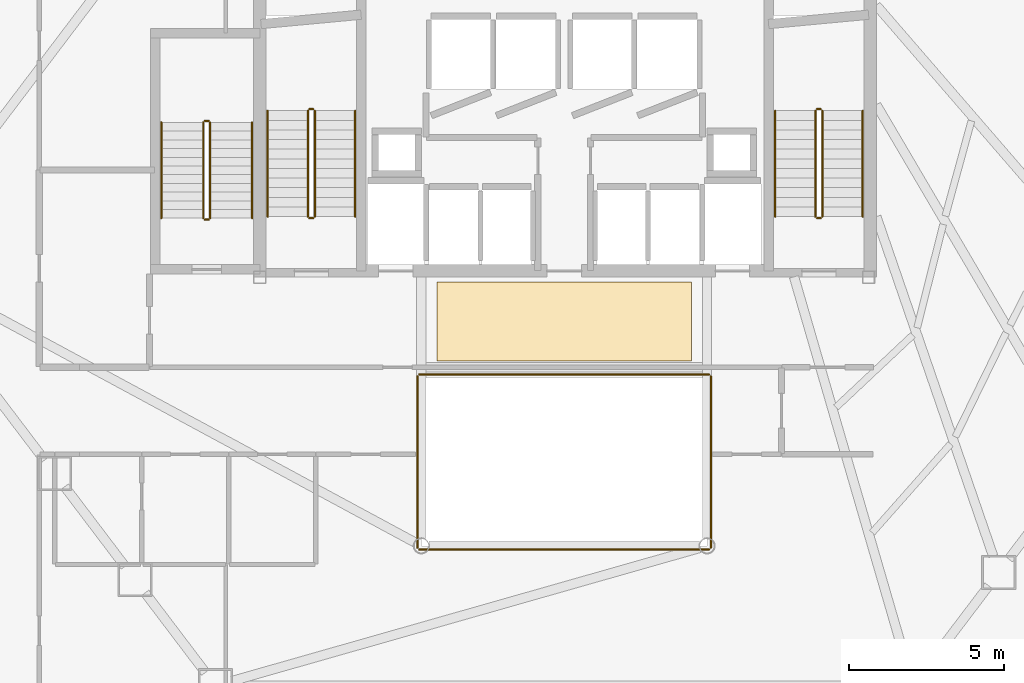
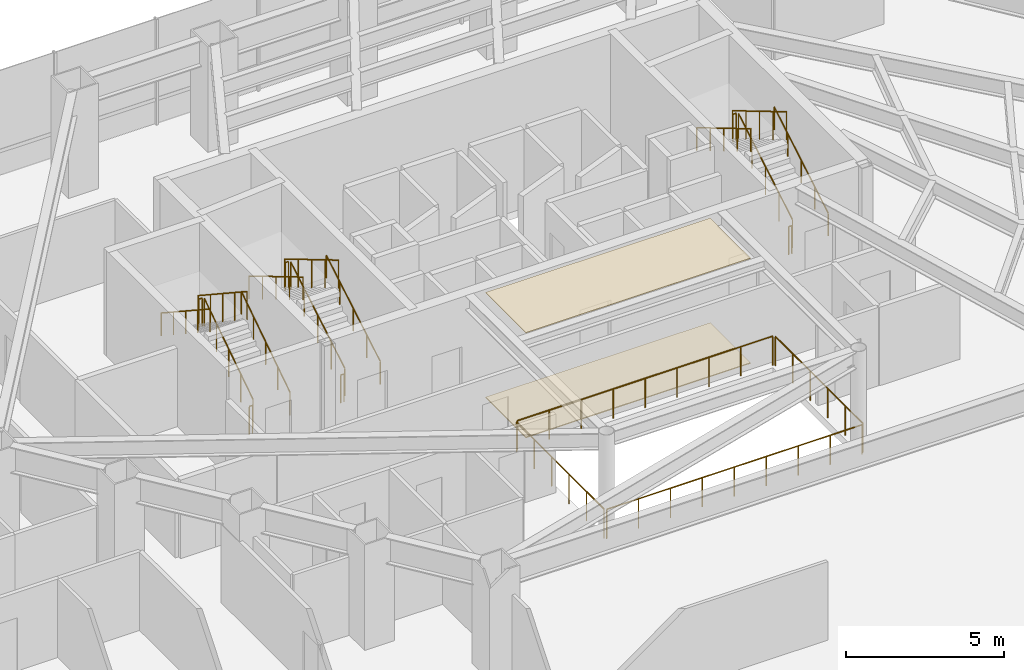
# One storey, part 33 of 33: 22 railings, 2 coverings.
"""IFC4 building model written with IfcOpenShell, lengths in metres."""

from ifc_helpers import new_model, si_unit, direction, frame, origin, origin_2d, place, context, subcontext, project, spatial, polyline, circle, outline, extrude, material, layer, layer_set, type_object, element, save


model = new_model("IFC4")

# Units and contexts
model_context = context("Model", 3, precision=1e-05, world=origin(), true_north=direction((0.0, 1.0)))
body_context = subcontext(model_context, "Body", "Model", "MODEL_VIEW")
ifc_project = project(units=[si_unit("LENGTHUNIT", "METRE"), si_unit("AREAUNIT", "SQUARE_METRE"), si_unit("VOLUMEUNIT", "CUBIC_METRE"), si_unit("PLANEANGLEUNIT", "RADIAN"), si_unit("MASSUNIT", "GRAM", prefix="KILO")], contexts=[model_context])

# Site, building, storey
site_placement = place(None, origin())
site = spatial("IfcSite", under=ifc_project, at=site_placement, CompositionType="ELEMENT")
building_placement = place(site_placement, origin())
building = spatial("IfcBuilding", under=site, at=building_placement, Name="Zarrinselat Tower", CompositionType="ELEMENT")
storey_placement = place(building_placement, frame((0.0, 0.0, 18.360107421875)))
storey = spatial("IfcBuildingStorey", under=building, at=storey_placement, Name="L04", CompositionType="ELEMENT", Elevation=18.360107421875)

# Coverings
ifc_material_1 = material(Name="Perforated Architectural Bronze")
ifc_layer_1 = layer(ifc_material_1, 0.02001953125)
ifc_layer_set_1 = layer_set([ifc_layer_1], Name="Perforated Architectural Bronze")
covering_type_1 = type_object("IfcCoveringType", Name="COV-CLG-BZ20", PredefinedType="CEILING", material=ifc_layer_set_1)
covering_1_placement = place(storey_placement, frame((0.0, 0.0, 4.0498046875)))
element("IfcCovering", 1, at=covering_1_placement, inside=storey, type_object=covering_type_1, Name="L04 Lift Lobby Acoustic Ceiling", PredefinedType="CEILING", context=body_context, shape_type="SweptSolid", body=[
    extrude(outline(polyline([(34.300048828125, 30.35009765625), (42.5, 30.35009765625), (42.5, 32.89990234375), (34.300048828125, 32.89990234375), (34.300048828125, 30.35009765625)])), origin(), (0.0, 0.0, 1.0), 0.02001953125),
])
ifc_material_2 = material(Name="Precast concrete C40/50", Category="concrete")
ifc_layer_2 = layer(ifc_material_2, 0.034912109375)
ifc_layer_set_2 = layer_set([ifc_layer_2], Name="Precast concrete C40/50")
covering_type_2 = type_object("IfcCoveringType", Name="COV-FLR-CP35", PredefinedType="FLOORING", material=ifc_layer_set_2)
covering_2_placement = place(storey_placement, origin())
element("IfcCovering", 2, at=covering_2_placement, inside=storey, type_object=covering_type_2, Name="L04 Lift Lobby Stone Flooring", PredefinedType="FLOORING", context=body_context, shape_type="SweptSolid", body=[
    extrude(outline(polyline([(34.300048828125, 30.35009765625), (42.5, 30.35009765625), (42.5, 32.89990234375), (34.300048828125, 32.89990234375), (34.300048828125, 30.35009765625)])), origin(), (0.0, 0.0, 1.0), 0.034912109375),
])

# Railings
ifc_material_3 = material(Name="Double Low-E Laminated Solar Glass", Category="glass")
railing_type_1 = type_object("IfcRailingType", Name="RLG-ATRIUM-BAL", PredefinedType="BALUSTRADE", material=ifc_material_3)
railing_1_placement = place(storey_placement, frame((33.739990234375, 24.280029296875, 0.0)))
element("IfcRailing", 3, at=railing_1_placement, inside=storey, type_object=railing_type_1, Name="L04 Atrium Void Glass Balustrade S", PredefinedType="BALUSTRADE", context=body_context, shape_type="SweptSolid", body=[
    extrude(circle(Radius=0.02392578125, at=origin_2d()), frame((0.0, 0.0, 1.1259765625), z_axis=(1.0, 0.0, 0.0), x_axis=(0.0, 1.0, 0.0)), (0.0, 0.0, 1.0), 9.320068359375),
    extrude(circle(Radius=0.02099609375, at=origin_2d()), origin(), (0.0, 0.0, 1.0), 1.099853515625),
    extrude(circle(Radius=0.02099609375, at=origin_2d()), frame((1.1650390625, 0.0, 0.0)), (0.0, 0.0, 1.0), 1.099853515625),
    extrude(circle(Radius=0.02099609375, at=origin_2d()), frame((2.330078125, 0.0, 0.0)), (0.0, 0.0, 1.0), 1.099853515625),
    extrude(circle(Radius=0.02099609375, at=origin_2d()), frame((3.4951171875, 0.0, 0.0)), (0.0, 0.0, 1.0), 1.099853515625),
    extrude(circle(Radius=0.02099609375, at=origin_2d()), frame((4.66015625, 0.0, 0.0)), (0.0, 0.0, 1.0), 1.099853515625),
    extrude(circle(Radius=0.02099609375, at=origin_2d()), frame((5.824951171875, 0.0, 0.0)), (0.0, 0.0, 1.0), 1.099853515625),
    extrude(circle(Radius=0.02099609375, at=origin_2d()), frame((6.989990234375, 0.0, 0.0)), (0.0, 0.0, 1.0), 1.099853515625),
    extrude(circle(Radius=0.02099609375, at=origin_2d()), frame((8.155029296875, 0.0, 0.0)), (0.0, 0.0, 1.0), 1.099853515625),
    extrude(circle(Radius=0.02099609375, at=origin_2d()), frame((9.320068359375, 0.0, 0.0)), (0.0, 0.0, 1.0), 1.099853515625),
])
railing_2_placement = place(storey_placement, frame((43.1201171875, 24.340087890625, 0.0)))
element("IfcRailing", 4, at=railing_2_placement, inside=storey, type_object=railing_type_1, Name="L04 Atrium Void Glass Balustrade E", PredefinedType="BALUSTRADE", context=body_context, shape_type="SweptSolid", body=[
    extrude(circle(Radius=0.02392578125, at=origin_2d()), frame((0.0, 0.0, 1.1259765625), z_axis=(0.0, 1.0, 0.0), x_axis=(-1.0, 0.0, 0.0)), (0.0, 0.0, 1.0), 5.52001953125),
    extrude(circle(Radius=0.02099609375, at=origin_2d()), origin(), (0.0, 0.0, 1.0), 1.099853515625),
    extrude(circle(Radius=0.02099609375, at=origin_2d()), frame((0.0, 1.10400390625, 0.0)), (0.0, 0.0, 1.0), 1.099853515625),
    extrude(circle(Radius=0.02099609375, at=origin_2d()), frame((0.0, 2.2080078125, 0.0)), (0.0, 0.0, 1.0), 1.099853515625),
    extrude(circle(Radius=0.02099609375, at=origin_2d()), frame((0.0, 3.31201171875, 0.0)), (0.0, 0.0, 1.0), 1.099853515625),
    extrude(circle(Radius=0.02099609375, at=origin_2d()), frame((0.0, 4.416015625, 0.0)), (0.0, 0.0, 1.0), 1.099853515625),
    extrude(circle(Radius=0.02099609375, at=origin_2d()), frame((0.0, 5.52001953125, 0.0)), (0.0, 0.0, 1.0), 1.099853515625),
])
railing_3_placement = place(storey_placement, frame((43.06005859375, 29.919921875, 0.0)))
element("IfcRailing", 5, at=railing_3_placement, inside=storey, type_object=railing_type_1, Name="L04 Atrium Void Glass Balustrade N", PredefinedType="BALUSTRADE", context=body_context, shape_type="SweptSolid", body=[
    extrude(circle(Radius=0.02392578125, at=origin_2d()), frame((0.0, 0.0, 1.1259765625), z_axis=(-1.0, 0.0, 0.0), x_axis=(0.0, -1.0, 0.0)), (0.0, 0.0, 1.0), 9.320068359375),
    extrude(circle(Radius=0.02099609375, at=origin_2d()), origin(), (0.0, 0.0, 1.0), 1.099853515625),
    extrude(circle(Radius=0.02099609375, at=origin_2d()), frame((-1.1650390625, 0.0, 0.0)), (0.0, 0.0, 1.0), 1.099853515625),
    extrude(circle(Radius=0.02099609375, at=origin_2d()), frame((-2.330078125, 0.0, 0.0)), (0.0, 0.0, 1.0), 1.099853515625),
    extrude(circle(Radius=0.02099609375, at=origin_2d()), frame((-3.4951171875, 0.0, 0.0)), (0.0, 0.0, 1.0), 1.099853515625),
    extrude(circle(Radius=0.02099609375, at=origin_2d()), frame((-4.66015625, 0.0, 0.0)), (0.0, 0.0, 1.0), 1.099853515625),
    extrude(circle(Radius=0.02099609375, at=origin_2d()), frame((-5.824951171875, 0.0, 0.0)), (0.0, 0.0, 1.0), 1.099853515625),
    extrude(circle(Radius=0.02099609375, at=origin_2d()), frame((-6.989990234375, 0.0, 0.0)), (0.0, 0.0, 1.0), 1.099853515625),
    extrude(circle(Radius=0.02099609375, at=origin_2d()), frame((-8.155029296875, 0.0, 0.0)), (0.0, 0.0, 1.0), 1.099853515625),
    extrude(circle(Radius=0.02099609375, at=origin_2d()), frame((-9.320068359375, 0.0, 0.0)), (0.0, 0.0, 1.0), 1.099853515625),
])
railing_4_placement = place(storey_placement, frame((33.679931640625, 29.860107421875, 0.0)))
element("IfcRailing", 6, at=railing_4_placement, inside=storey, type_object=railing_type_1, Name="L04 Atrium Void Glass Balustrade W", PredefinedType="BALUSTRADE", context=body_context, shape_type="SweptSolid", body=[
    extrude(circle(Radius=0.02392578125, at=origin_2d()), frame((0.0, 0.0, 1.1259765625), z_axis=(0.0, -1.0, 0.0), x_axis=(1.0, 0.0, 0.0)), (0.0, 0.0, 1.0), 5.52001953125),
    extrude(circle(Radius=0.02099609375, at=origin_2d()), origin(), (0.0, 0.0, 1.0), 1.099853515625),
    extrude(circle(Radius=0.02099609375, at=origin_2d()), frame((0.0, -1.10400390625, 0.0)), (0.0, 0.0, 1.0), 1.099853515625),
    extrude(circle(Radius=0.02099609375, at=origin_2d()), frame((0.0, -2.2080078125, 0.0)), (0.0, 0.0, 1.0), 1.099853515625),
    extrude(circle(Radius=0.02099609375, at=origin_2d()), frame((0.0, -3.31201171875, 0.0)), (0.0, 0.0, 1.0), 1.099853515625),
    extrude(circle(Radius=0.02099609375, at=origin_2d()), frame((0.0, -4.416015625, 0.0)), (0.0, 0.0, 1.0), 1.099853515625),
    extrude(circle(Radius=0.02099609375, at=origin_2d()), frame((0.0, -5.52001953125, 0.0)), (0.0, 0.0, 1.0), 1.099853515625),
])
ifc_material_4 = material(Name="Steel S355J2", Category="steel")
railing_type_2 = type_object("IfcRailingType", Name="RLG-STAIR-GUARD", PredefinedType="GUARDRAIL", material=ifc_material_4)
railing_5_placement = place(storey_placement, frame((30.3701171875, 35.0, 0.18408203125)))
element("IfcRailing", 7, at=railing_5_placement, inside=storey, type_object=railing_type_2, Name="L04 ST-1 stair guard 1", PredefinedType="GUARDRAIL", context=body_context, shape_type="SweptSolid", body=[
    extrude(circle(Radius=0.02392578125, at=origin_2d()), frame((0.0, 0.0, 1.076171875), z_axis=(0.0, 0.85971707285, 0.510770549904), x_axis=(-1.0, 0.0, 0.0)), (0.0, 0.0, 1.0), 3.96630859375),
    extrude(circle(Radius=0.02099609375, at=origin_2d()), origin(), (0.0, 0.0, 1.0), 1.050048828125),
    extrude(circle(Radius=0.02099609375, at=origin_2d()), frame((0.0, 0.8525390625, 0.50634765625)), (0.0, 0.0, 1.0), 1.050048828125),
    extrude(circle(Radius=0.02099609375, at=origin_2d()), frame((0.0, 1.705078125, 1.012939453125)), (0.0, 0.0, 1.0), 1.050048828125),
    extrude(circle(Radius=0.02099609375, at=origin_2d()), frame((0.0, 2.557373046875, 1.51953125)), (0.0, 0.0, 1.0), 1.050048828125),
    extrude(circle(Radius=0.02099609375, at=origin_2d()), frame((0.0, 3.409912109375, 2.02587890625)), (0.0, 0.0, 1.0), 1.050048828125),
])
railing_6_placement = place(storey_placement, frame((30.320068359375, 38.4599609375, 2.2099609375)))
element("IfcRailing", 8, at=railing_6_placement, inside=storey, type_object=railing_type_2, Name="L04 ST-1 stair guard 2", PredefinedType="GUARDRAIL", context=body_context, shape_type="SweptSolid", body=[
    extrude(circle(Radius=0.02392578125, at=origin_2d()), frame((0.0, 0.0, 1.076171875), z_axis=(-1.0, 0.0, 0.0), x_axis=(0.0, -1.0, 0.0)), (0.0, 0.0, 1.0), 0.1201171875),
    extrude(circle(Radius=0.02099609375, at=origin_2d()), origin(), (0.0, 0.0, 1.0), 1.050048828125),
    extrude(circle(Radius=0.02099609375, at=origin_2d()), frame((-0.1201171875, 0.0, 0.0)), (0.0, 0.0, 1.0), 1.050048828125),
])
railing_7_placement = place(storey_placement, frame((30.14990234375, 38.409912109375, 2.39404296875)))
element("IfcRailing", 9, at=railing_7_placement, inside=storey, type_object=railing_type_2, Name="L04 ST-1 stair guard 3", PredefinedType="GUARDRAIL", context=body_context, shape_type="SweptSolid", body=[
    extrude(circle(Radius=0.02392578125, at=origin_2d()), frame((0.0, 0.0, 1.076171875), z_axis=(0.0, -0.85971707285, 0.510770549904), x_axis=(1.0, 0.0, 0.0)), (0.0, 0.0, 1.0), 3.96630859375),
    extrude(circle(Radius=0.02099609375, at=origin_2d()), origin(), (0.0, 0.0, 1.0), 1.050048828125),
    extrude(circle(Radius=0.02099609375, at=origin_2d()), frame((0.0, -0.8525390625, 0.50634765625)), (0.0, 0.0, 1.0), 1.050048828125),
    extrude(circle(Radius=0.02099609375, at=origin_2d()), frame((0.0, -1.705078125, 1.012939453125)), (0.0, 0.0, 1.0), 1.050048828125),
    extrude(circle(Radius=0.02099609375, at=origin_2d()), frame((0.0, -2.557373046875, 1.51953125)), (0.0, 0.0, 1.0), 1.050048828125),
    extrude(circle(Radius=0.02099609375, at=origin_2d()), frame((0.0, -3.409912109375, 2.02587890625)), (0.0, 0.0, 1.0), 1.050048828125),
])
railing_8_placement = place(storey_placement, frame((30.320068359375, 34.949951171875, 0.0)))
element("IfcRailing", 10, at=railing_8_placement, inside=storey, type_object=railing_type_2, Name="L04 ST-1 stair guard 4", PredefinedType="GUARDRAIL", context=body_context, shape_type="SweptSolid", body=[
    extrude(circle(Radius=0.02392578125, at=origin_2d()), frame((0.0, 0.0, 1.076171875), z_axis=(-1.0, 0.0, 0.0), x_axis=(0.0, -1.0, 0.0)), (0.0, 0.0, 1.0), 0.1201171875),
    extrude(circle(Radius=0.02099609375, at=origin_2d()), origin(), (0.0, 0.0, 1.0), 1.050048828125),
    extrude(circle(Radius=0.02099609375, at=origin_2d()), frame((-0.1201171875, 0.0, 0.0)), (0.0, 0.0, 1.0), 1.050048828125),
])
railing_9_placement = place(storey_placement, frame((46.7099609375, 35.0, 0.18408203125)))
element("IfcRailing", 11, at=railing_9_placement, inside=storey, type_object=railing_type_2, Name="L04 ST-2 stair guard 1", PredefinedType="GUARDRAIL", context=body_context, shape_type="SweptSolid", body=[
    extrude(circle(Radius=0.02392578125, at=origin_2d()), frame((0.0, 0.0, 1.076171875), z_axis=(0.0, 0.85971707285, 0.510770549904), x_axis=(-1.0, 0.0, 0.0)), (0.0, 0.0, 1.0), 3.96630859375),
    extrude(circle(Radius=0.02099609375, at=origin_2d()), origin(), (0.0, 0.0, 1.0), 1.050048828125),
    extrude(circle(Radius=0.02099609375, at=origin_2d()), frame((0.0, 0.8525390625, 0.50634765625)), (0.0, 0.0, 1.0), 1.050048828125),
    extrude(circle(Radius=0.02099609375, at=origin_2d()), frame((0.0, 1.705078125, 1.012939453125)), (0.0, 0.0, 1.0), 1.050048828125),
    extrude(circle(Radius=0.02099609375, at=origin_2d()), frame((0.0, 2.557373046875, 1.51953125)), (0.0, 0.0, 1.0), 1.050048828125),
    extrude(circle(Radius=0.02099609375, at=origin_2d()), frame((0.0, 3.409912109375, 2.02587890625)), (0.0, 0.0, 1.0), 1.050048828125),
])
railing_10_placement = place(storey_placement, frame((46.659912109375, 38.4599609375, 2.2099609375)))
element("IfcRailing", 12, at=railing_10_placement, inside=storey, type_object=railing_type_2, Name="L04 ST-2 stair guard 2", PredefinedType="GUARDRAIL", context=body_context, shape_type="SweptSolid", body=[
    extrude(circle(Radius=0.02392578125, at=origin_2d()), frame((0.0, 0.0, 1.076171875), z_axis=(-1.0, 0.0, 0.0), x_axis=(0.0, -1.0, 0.0)), (0.0, 0.0, 1.0), 0.119873046875),
    extrude(circle(Radius=0.02099609375, at=origin_2d()), origin(), (0.0, 0.0, 1.0), 1.050048828125),
    extrude(circle(Radius=0.02099609375, at=origin_2d()), frame((-0.119873046875, 0.0, 0.0)), (0.0, 0.0, 1.0), 1.050048828125),
])
railing_11_placement = place(storey_placement, frame((46.489990234375, 38.409912109375, 2.39404296875)))
element("IfcRailing", 13, at=railing_11_placement, inside=storey, type_object=railing_type_2, Name="L04 ST-2 stair guard 3", PredefinedType="GUARDRAIL", context=body_context, shape_type="SweptSolid", body=[
    extrude(circle(Radius=0.02392578125, at=origin_2d()), frame((0.0, 0.0, 1.076171875), z_axis=(0.0, -0.85971707285, 0.510770549904), x_axis=(1.0, 0.0, 0.0)), (0.0, 0.0, 1.0), 3.96630859375),
    extrude(circle(Radius=0.02099609375, at=origin_2d()), origin(), (0.0, 0.0, 1.0), 1.050048828125),
    extrude(circle(Radius=0.02099609375, at=origin_2d()), frame((0.0, -0.8525390625, 0.50634765625)), (0.0, 0.0, 1.0), 1.050048828125),
    extrude(circle(Radius=0.02099609375, at=origin_2d()), frame((0.0, -1.705078125, 1.012939453125)), (0.0, 0.0, 1.0), 1.050048828125),
    extrude(circle(Radius=0.02099609375, at=origin_2d()), frame((0.0, -2.557373046875, 1.51953125)), (0.0, 0.0, 1.0), 1.050048828125),
    extrude(circle(Radius=0.02099609375, at=origin_2d()), frame((0.0, -3.409912109375, 2.02587890625)), (0.0, 0.0, 1.0), 1.050048828125),
])
railing_12_placement = place(storey_placement, frame((46.659912109375, 34.949951171875, 0.0)))
element("IfcRailing", 14, at=railing_12_placement, inside=storey, type_object=railing_type_2, Name="L04 ST-2 stair guard 4", PredefinedType="GUARDRAIL", context=body_context, shape_type="SweptSolid", body=[
    extrude(circle(Radius=0.02392578125, at=origin_2d()), frame((0.0, 0.0, 1.076171875), z_axis=(-1.0, 0.0, 0.0), x_axis=(0.0, -1.0, 0.0)), (0.0, 0.0, 1.0), 0.119873046875),
    extrude(circle(Radius=0.02099609375, at=origin_2d()), origin(), (0.0, 0.0, 1.0), 1.050048828125),
    extrude(circle(Radius=0.02099609375, at=origin_2d()), frame((-0.119873046875, 0.0, 0.0)), (0.0, 0.0, 1.0), 1.050048828125),
])
railing_13_placement = place(storey_placement, frame((27.0, 34.949951171875, 0.18408203125)))
element("IfcRailing", 15, at=railing_13_placement, inside=storey, type_object=railing_type_2, Name="L04 ST-3 stair guard 1", PredefinedType="GUARDRAIL", context=body_context, shape_type="SweptSolid", body=[
    extrude(circle(Radius=0.02392578125, at=origin_2d()), frame((0.0, 0.0, 1.076171875), z_axis=(0.0, 0.835477891525, 0.549524060231), x_axis=(-1.0, 0.0, 0.0)), (0.0, 0.0, 1.0), 3.6865234375),
    extrude(circle(Radius=0.02099609375, at=origin_2d()), origin(), (0.0, 0.0, 1.0), 1.050048828125),
    extrude(circle(Radius=0.02099609375, at=origin_2d()), frame((0.0, 0.77001953125, 0.50634765625)), (0.0, 0.0, 1.0), 1.050048828125),
    extrude(circle(Radius=0.02099609375, at=origin_2d()), frame((0.0, 1.5400390625, 1.012939453125)), (0.0, 0.0, 1.0), 1.050048828125),
    extrude(circle(Radius=0.02099609375, at=origin_2d()), frame((0.0, 2.31005859375, 1.51953125)), (0.0, 0.0, 1.0), 1.050048828125),
    extrude(circle(Radius=0.02099609375, at=origin_2d()), frame((0.0, 3.080078125, 2.02587890625)), (0.0, 0.0, 1.0), 1.050048828125),
])
railing_14_placement = place(storey_placement, frame((26.949951171875, 38.080078125, 2.2099609375)))
element("IfcRailing", 16, at=railing_14_placement, inside=storey, type_object=railing_type_2, Name="L04 ST-3 stair guard 2", PredefinedType="GUARDRAIL", context=body_context, shape_type="SweptSolid", body=[
    extrude(circle(Radius=0.02392578125, at=origin_2d()), frame((0.0, 0.0, 1.076171875), z_axis=(-1.0, 0.0, 0.0), x_axis=(0.0, -1.0, 0.0)), (0.0, 0.0, 1.0), 0.119873046875),
    extrude(circle(Radius=0.02099609375, at=origin_2d()), origin(), (0.0, 0.0, 1.0), 1.050048828125),
    extrude(circle(Radius=0.02099609375, at=origin_2d()), frame((-0.119873046875, 0.0, 0.0)), (0.0, 0.0, 1.0), 1.050048828125),
])
railing_15_placement = place(storey_placement, frame((26.780029296875, 38.030029296875, 2.39404296875)))
element("IfcRailing", 17, at=railing_15_placement, inside=storey, type_object=railing_type_2, Name="L04 ST-3 stair guard 3", PredefinedType="GUARDRAIL", context=body_context, shape_type="SweptSolid", body=[
    extrude(circle(Radius=0.02392578125, at=origin_2d()), frame((0.0, 0.0, 1.076171875), z_axis=(0.0, -0.835477891525, 0.549524060231), x_axis=(1.0, 0.0, 0.0)), (0.0, 0.0, 1.0), 3.6865234375),
    extrude(circle(Radius=0.02099609375, at=origin_2d()), origin(), (0.0, 0.0, 1.0), 1.050048828125),
    extrude(circle(Radius=0.02099609375, at=origin_2d()), frame((0.0, -0.77001953125, 0.50634765625)), (0.0, 0.0, 1.0), 1.050048828125),
    extrude(circle(Radius=0.02099609375, at=origin_2d()), frame((0.0, -1.5400390625, 1.012939453125)), (0.0, 0.0, 1.0), 1.050048828125),
    extrude(circle(Radius=0.02099609375, at=origin_2d()), frame((0.0, -2.31005859375, 1.51953125)), (0.0, 0.0, 1.0), 1.050048828125),
    extrude(circle(Radius=0.02099609375, at=origin_2d()), frame((0.0, -3.080078125, 2.02587890625)), (0.0, 0.0, 1.0), 1.050048828125),
])
railing_16_placement = place(storey_placement, frame((26.949951171875, 34.89990234375, 0.0)))
element("IfcRailing", 18, at=railing_16_placement, inside=storey, type_object=railing_type_2, Name="L04 ST-3 stair guard 4", PredefinedType="GUARDRAIL", context=body_context, shape_type="SweptSolid", body=[
    extrude(circle(Radius=0.02392578125, at=origin_2d()), frame((0.0, 0.0, 1.076171875), z_axis=(-1.0, 0.0, 0.0), x_axis=(0.0, -1.0, 0.0)), (0.0, 0.0, 1.0), 0.119873046875),
    extrude(circle(Radius=0.02099609375, at=origin_2d()), origin(), (0.0, 0.0, 1.0), 1.050048828125),
    extrude(circle(Radius=0.02099609375, at=origin_2d()), frame((-0.119873046875, 0.0, 0.0)), (0.0, 0.0, 1.0), 1.050048828125),
])
ifc_material_5 = material(Name="Steel S355J2", Category="steel")
railing_type_3 = type_object("IfcRailingType", Name="RLG-STAIR-HAND", PredefinedType="HANDRAIL", material=ifc_material_5)
railing_17_placement = place(storey_placement, frame((31.669921875, 35.0, 0.18408203125)))
element("IfcRailing", 19, at=railing_17_placement, inside=storey, type_object=railing_type_3, Name="L04 ST-1 stair handrail 1", PredefinedType="HANDRAIL", context=body_context, shape_type="SweptSolid", body=[
    extrude(circle(Radius=0.02392578125, at=origin_2d()), frame((0.0, 0.0, 0.8759765625), z_axis=(0.0, 0.85971707285, 0.510770549904), x_axis=(-1.0, 0.0, 0.0)), (0.0, 0.0, 1.0), 3.96630859375),
    extrude(circle(Radius=0.02099609375, at=origin_2d()), origin(), (0.0, 0.0, 1.0), 0.849853515625),
    extrude(circle(Radius=0.02099609375, at=origin_2d()), frame((0.0, 0.8525390625, 0.50634765625)), (0.0, 0.0, 1.0), 0.849853515625),
    extrude(circle(Radius=0.02099609375, at=origin_2d()), frame((0.0, 1.705078125, 1.012939453125)), (0.0, 0.0, 1.0), 0.849853515625),
    extrude(circle(Radius=0.02099609375, at=origin_2d()), frame((0.0, 2.557373046875, 1.51953125)), (0.0, 0.0, 1.0), 0.849853515625),
    extrude(circle(Radius=0.02099609375, at=origin_2d()), frame((0.0, 3.409912109375, 2.02587890625)), (0.0, 0.0, 1.0), 0.849853515625),
])
railing_18_placement = place(storey_placement, frame((28.85009765625, 38.409912109375, 2.39404296875)))
element("IfcRailing", 20, at=railing_18_placement, inside=storey, type_object=railing_type_3, Name="L04 ST-1 stair handrail 2", PredefinedType="HANDRAIL", context=body_context, shape_type="SweptSolid", body=[
    extrude(circle(Radius=0.02392578125, at=origin_2d()), frame((0.0, 0.0, 0.8759765625), z_axis=(0.0, -0.85971707285, 0.510770549904), x_axis=(1.0, 0.0, 0.0)), (0.0, 0.0, 1.0), 3.96630859375),
    extrude(circle(Radius=0.02099609375, at=origin_2d()), origin(), (0.0, 0.0, 1.0), 0.849853515625),
    extrude(circle(Radius=0.02099609375, at=origin_2d()), frame((0.0, -0.8525390625, 0.50634765625)), (0.0, 0.0, 1.0), 0.849853515625),
    extrude(circle(Radius=0.02099609375, at=origin_2d()), frame((0.0, -1.705078125, 1.012939453125)), (0.0, 0.0, 1.0), 0.849853515625),
    extrude(circle(Radius=0.02099609375, at=origin_2d()), frame((0.0, -2.557373046875, 1.51953125)), (0.0, 0.0, 1.0), 0.849853515625),
    extrude(circle(Radius=0.02099609375, at=origin_2d()), frame((0.0, -3.409912109375, 2.02587890625)), (0.0, 0.0, 1.0), 0.849853515625),
])
railing_19_placement = place(storey_placement, frame((48.010009765625, 35.0, 0.18408203125)))
element("IfcRailing", 21, at=railing_19_placement, inside=storey, type_object=railing_type_3, Name="L04 ST-2 stair handrail 1", PredefinedType="HANDRAIL", context=body_context, shape_type="SweptSolid", body=[
    extrude(circle(Radius=0.02392578125, at=origin_2d()), frame((0.0, 0.0, 0.8759765625), z_axis=(0.0, 0.85971707285, 0.510770549904), x_axis=(-1.0, 0.0, 0.0)), (0.0, 0.0, 1.0), 3.96630859375),
    extrude(circle(Radius=0.02099609375, at=origin_2d()), origin(), (0.0, 0.0, 1.0), 0.849853515625),
    extrude(circle(Radius=0.02099609375, at=origin_2d()), frame((0.0, 0.8525390625, 0.50634765625)), (0.0, 0.0, 1.0), 0.849853515625),
    extrude(circle(Radius=0.02099609375, at=origin_2d()), frame((0.0, 1.705078125, 1.012939453125)), (0.0, 0.0, 1.0), 0.849853515625),
    extrude(circle(Radius=0.02099609375, at=origin_2d()), frame((0.0, 2.557373046875, 1.51953125)), (0.0, 0.0, 1.0), 0.849853515625),
    extrude(circle(Radius=0.02099609375, at=origin_2d()), frame((0.0, 3.409912109375, 2.02587890625)), (0.0, 0.0, 1.0), 0.849853515625),
])
railing_20_placement = place(storey_placement, frame((45.18994140625, 38.409912109375, 2.39404296875)))
element("IfcRailing", 22, at=railing_20_placement, inside=storey, type_object=railing_type_3, Name="L04 ST-2 stair handrail 2", PredefinedType="HANDRAIL", context=body_context, shape_type="SweptSolid", body=[
    extrude(circle(Radius=0.02392578125, at=origin_2d()), frame((0.0, 0.0, 0.8759765625), z_axis=(0.0, -0.85971707285, 0.510770549904), x_axis=(1.0, 0.0, 0.0)), (0.0, 0.0, 1.0), 3.96630859375),
    extrude(circle(Radius=0.02099609375, at=origin_2d()), origin(), (0.0, 0.0, 1.0), 0.849853515625),
    extrude(circle(Radius=0.02099609375, at=origin_2d()), frame((0.0, -0.8525390625, 0.50634765625)), (0.0, 0.0, 1.0), 0.849853515625),
    extrude(circle(Radius=0.02099609375, at=origin_2d()), frame((0.0, -1.705078125, 1.012939453125)), (0.0, 0.0, 1.0), 0.849853515625),
    extrude(circle(Radius=0.02099609375, at=origin_2d()), frame((0.0, -2.557373046875, 1.51953125)), (0.0, 0.0, 1.0), 0.849853515625),
    extrude(circle(Radius=0.02099609375, at=origin_2d()), frame((0.0, -3.409912109375, 2.02587890625)), (0.0, 0.0, 1.0), 0.849853515625),
])
railing_21_placement = place(storey_placement, frame((28.35009765625, 34.949951171875, 0.18408203125)))
element("IfcRailing", 23, at=railing_21_placement, inside=storey, type_object=railing_type_3, Name="L04 ST-3 stair handrail 1", PredefinedType="HANDRAIL", context=body_context, shape_type="SweptSolid", body=[
    extrude(circle(Radius=0.02392578125, at=origin_2d()), frame((0.0, 0.0, 0.8759765625), z_axis=(0.0, 0.835477891525, 0.549524060231), x_axis=(-1.0, 0.0, 0.0)), (0.0, 0.0, 1.0), 3.6865234375),
    extrude(circle(Radius=0.02099609375, at=origin_2d()), origin(), (0.0, 0.0, 1.0), 0.849853515625),
    extrude(circle(Radius=0.02099609375, at=origin_2d()), frame((0.0, 0.77001953125, 0.50634765625)), (0.0, 0.0, 1.0), 0.849853515625),
    extrude(circle(Radius=0.02099609375, at=origin_2d()), frame((0.0, 1.5400390625, 1.012939453125)), (0.0, 0.0, 1.0), 0.849853515625),
    extrude(circle(Radius=0.02099609375, at=origin_2d()), frame((0.0, 2.31005859375, 1.51953125)), (0.0, 0.0, 1.0), 0.849853515625),
    extrude(circle(Radius=0.02099609375, at=origin_2d()), frame((0.0, 3.080078125, 2.02587890625)), (0.0, 0.0, 1.0), 0.849853515625),
])
railing_22_placement = place(storey_placement, frame((25.429931640625, 38.030029296875, 2.39404296875)))
element("IfcRailing", 24, at=railing_22_placement, inside=storey, type_object=railing_type_3, Name="L04 ST-3 stair handrail 2", PredefinedType="HANDRAIL", context=body_context, shape_type="SweptSolid", body=[
    extrude(circle(Radius=0.02392578125, at=origin_2d()), frame((0.0, 0.0, 0.8759765625), z_axis=(0.0, -0.835477891525, 0.549524060231), x_axis=(1.0, 0.0, 0.0)), (0.0, 0.0, 1.0), 3.6865234375),
    extrude(circle(Radius=0.02099609375, at=origin_2d()), origin(), (0.0, 0.0, 1.0), 0.849853515625),
    extrude(circle(Radius=0.02099609375, at=origin_2d()), frame((0.0, -0.77001953125, 0.50634765625)), (0.0, 0.0, 1.0), 0.849853515625),
    extrude(circle(Radius=0.02099609375, at=origin_2d()), frame((0.0, -1.5400390625, 1.012939453125)), (0.0, 0.0, 1.0), 0.849853515625),
    extrude(circle(Radius=0.02099609375, at=origin_2d()), frame((0.0, -2.31005859375, 1.51953125)), (0.0, 0.0, 1.0), 0.849853515625),
    extrude(circle(Radius=0.02099609375, at=origin_2d()), frame((0.0, -3.080078125, 2.02587890625)), (0.0, 0.0, 1.0), 0.849853515625),
])

save(model, "model.ifc")
